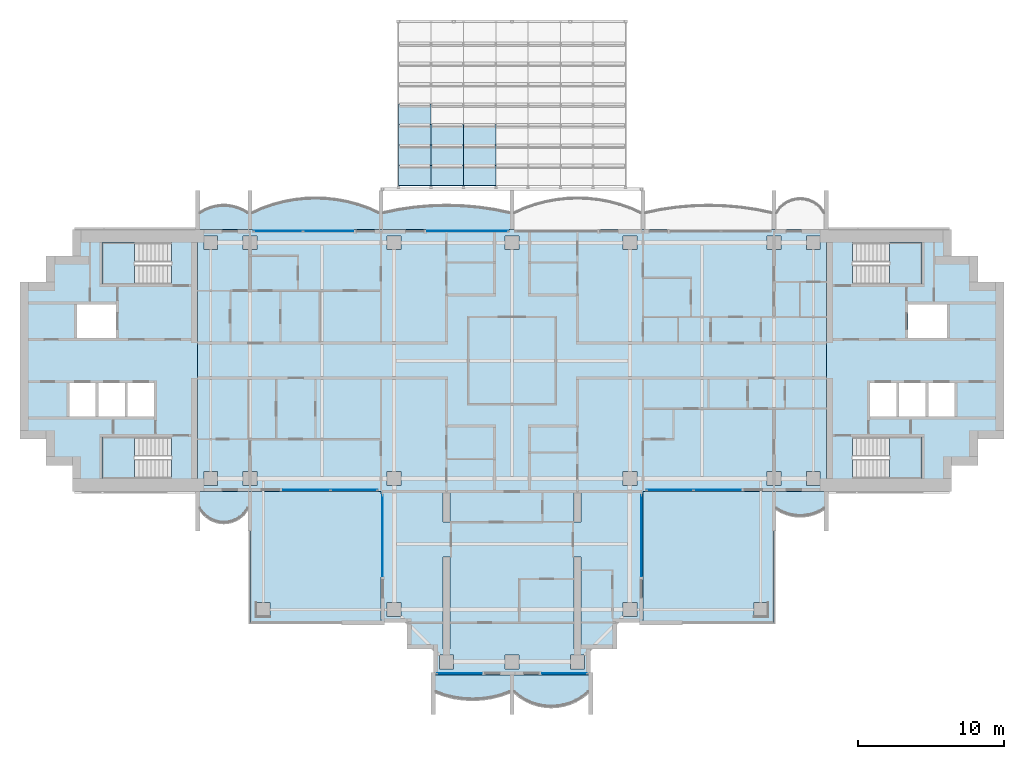
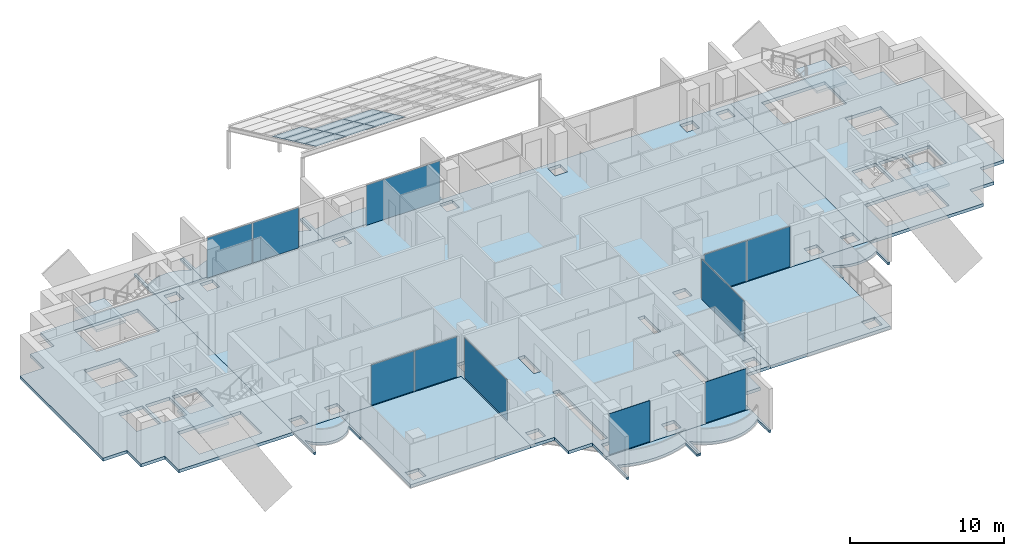
# One storey, part 8 of 20: 21 plates, 16 slabs, 12 elements without a shape of their own.
"""IFC4 building model written with IfcOpenShell, lengths in metres."""

from ifc_helpers import new_model, si_unit, direction, frame, origin, origin_2d, place, context, subcontext, project, spatial, polyline, rectangle, outline, extrude, material, layer, layer_set, type_object, element, aggregate, save


model = new_model("IFC4")

# Units and contexts
model_context = context("Model", 3, precision=1e-05, world=origin(), true_north=direction((0.0, 1.0)))
body_context = subcontext(model_context, "Body", "Model", "MODEL_VIEW")
ifc_project = project(units=[si_unit("LENGTHUNIT", "METRE"), si_unit("AREAUNIT", "SQUARE_METRE"), si_unit("VOLUMEUNIT", "CUBIC_METRE"), si_unit("PLANEANGLEUNIT", "RADIAN"), si_unit("MASSUNIT", "GRAM", prefix="KILO")], contexts=[model_context])

# Site, building, storey
site_placement = place(None, origin())
site = spatial("IfcSite", under=ifc_project, at=site_placement, CompositionType="ELEMENT")
building_placement = place(site_placement, origin())
building = spatial("IfcBuilding", under=site, at=building_placement, Name="Perihelion Cross Residences", CompositionType="ELEMENT")
storey_placement = place(building_placement, frame((0.0, 0.0, 170.10009765625)))
storey = spatial("IfcBuildingStorey", under=building, at=storey_placement, Name="L41", CompositionType="ELEMENT", Elevation=170.10009765625)

# Slabs
ifc_material_1 = material(Name="Concrete C40/50", Category="concrete")
ifc_layer_1 = layer(ifc_material_1, 0.199951171875)
ifc_layer_set_1 = layer_set([ifc_layer_1], Name="Balcony slab 200")
slab_type_1 = type_object("IfcSlabType", Name="Balcony slab 200", PredefinedType="FLOOR", material=ifc_layer_set_1)
slab_1_placement = place(storey_placement, frame((0.0, 0.0, -0.2001953125)))
element("IfcSlab", 1, at=slab_1_placement, inside=storey, type_object=slab_type_1, Name="Slab BK1 L41 north side east bay 2 balcony", PredefinedType="FLOOR", context=body_context, shape_type="SweptSolid", body=[
    extrude(outline(polyline([(0.0, 9.0), (-9.0, 9.0), (-9.0, 11.699951171875), (-8.85009765625, 11.699951171875), (-8.85009765625, 10.199951171875), (-7.762451171875, 10.42041015625), (-6.675048828125, 10.576171875), (-5.58740234375, 10.669189453125), (-4.5, 10.699951171875), (-3.41259765625, 10.669189453125), (-2.324951171875, 10.576171875), (-1.237548828125, 10.42041015625), (-0.14990234375, 10.199951171875), (-0.14990234375, 11.699951171875), (0.0, 11.699951171875), (0.0, 9.0)])), origin(), (0.0, 0.0, 1.0), 0.2001953125),
])
slab_2_placement = place(storey_placement, frame((0.0, 0.0, -0.2001953125)))
element("IfcSlab", 2, at=slab_2_placement, inside=storey, type_object=slab_type_1, Name="Slab BK1 L41 west side north bay 1 balcony", PredefinedType="FLOOR", context=body_context, shape_type="SweptSolid", body=[
    extrude(outline(polyline([(-9.0, 9.0), (-18.0, 9.0), (-18.0, 11.699951171875), (-17.85009765625, 11.699951171875), (-17.85009765625, 10.199951171875), (-17.125, 10.51708984375), (-16.39990234375, 10.7685546875), (-15.675048828125, 10.959716796875), (-14.949951171875, 11.093994140625), (-14.22509765625, 11.173583984375), (-13.5, 11.199951171875), (-12.77490234375, 11.173583984375), (-12.050048828125, 11.093994140625), (-11.324951171875, 10.959716796875), (-10.60009765625, 10.7685546875), (-9.875, 10.51708984375), (-9.14990234375, 10.199951171875), (-9.14990234375, 11.699951171875), (-9.0, 11.699951171875), (-9.0, 9.0)])), origin(), (0.0, 0.0, 1.0), 0.2001953125),
])
slab_3_placement = place(storey_placement, frame((0.0, 0.0, -0.2001953125)))
element("IfcSlab", 3, at=slab_3_placement, inside=storey, type_object=slab_type_1, Name="Slab BK1 L41 west side north bay 2 balcony", PredefinedType="FLOOR", context=body_context, shape_type="SweptSolid", body=[
    extrude(outline(polyline([(-18.0, 9.0), (-21.60009765625, 9.0), (-21.60009765625, 11.699951171875), (-21.449951171875, 11.699951171875), (-21.449951171875, 10.199951171875), (-21.083251953125, 10.40869140625), (-20.716552734375, 10.55517578125), (-20.35009765625, 10.648681640625), (-19.9833984375, 10.6943359375), (-19.61669921875, 10.6943359375), (-19.25, 10.648681640625), (-18.88330078125, 10.55517578125), (-18.5166015625, 10.40869140625), (-18.14990234375, 10.199951171875), (-18.14990234375, 11.699951171875), (-18.0, 11.699951171875), (-18.0, 9.0)])), origin(), (0.0, 0.0, 1.0), 0.2001953125),
])
slab_4_placement = place(storey_placement, frame((0.0, 0.0, -0.2001953125)))
element("IfcSlab", 4, at=slab_4_placement, inside=storey, type_object=slab_type_1, Name="Slab BK1 L41 west side south bay 1 balcony", PredefinedType="FLOOR", context=body_context, shape_type="SweptSolid", body=[
    extrude(outline(polyline([(-21.60009765625, -9.0), (-18.0, -9.0), (-18.0, -11.699951171875), (-18.14990234375, -11.699951171875), (-18.14990234375, -10.199951171875), (-18.425048828125, -10.568603515625), (-18.699951171875, -10.806396484375), (-18.97509765625, -10.96875), (-19.25, -11.07568359375), (-19.52490234375, -11.136962890625), (-19.800048828125, -11.156982421875), (-20.074951171875, -11.136962890625), (-20.35009765625, -11.07568359375), (-20.625, -10.96875), (-20.89990234375, -10.806396484375), (-21.175048828125, -10.568603515625), (-21.449951171875, -10.199951171875), (-21.449951171875, -11.699951171875), (-21.60009765625, -11.699951171875), (-21.60009765625, -9.0)])), origin(), (0.0, 0.0, 1.0), 0.2001953125),
])
slab_5_placement = place(storey_placement, frame((0.0, 0.0, -0.2001953125)))
element("IfcSlab", 5, at=slab_5_placement, inside=storey, type_object=slab_type_1, Name="Slab BK1 L41 south tip south bay 1 balcony", PredefinedType="FLOOR", context=body_context, shape_type="SweptSolid", body=[
    extrude(outline(polyline([(-5.39990234375, -21.60009765625), (0.0, -21.60009765625), (0.0, -24.300048828125), (-0.14990234375, -24.300048828125), (-0.14990234375, -22.800048828125), (-0.78759765625, -23.0234375), (-1.425048828125, -23.178466796875), (-2.0625, -23.269775390625), (-2.699951171875, -23.300048828125), (-3.33740234375, -23.269775390625), (-3.97509765625, -23.178466796875), (-4.612548828125, -23.0234375), (-5.25, -22.800048828125), (-5.25, -24.300048828125), (-5.39990234375, -24.300048828125), (-5.39990234375, -21.60009765625)])), origin(), (0.0, 0.0, 1.0), 0.2001953125),
])
slab_6_placement = place(storey_placement, frame((0.0, 0.0, -0.2001953125)))
element("IfcSlab", 6, at=slab_6_placement, inside=storey, type_object=slab_type_1, Name="Slab BK1 L41 south tip south bay 2 balcony", PredefinedType="FLOOR", context=body_context, shape_type="SweptSolid", body=[
    extrude(outline(polyline([(0.0, -21.60009765625), (5.39990234375, -21.60009765625), (5.39990234375, -24.300048828125), (5.25, -24.300048828125), (5.25, -22.800048828125), (4.824951171875, -23.14013671875), (4.39990234375, -23.392578125), (3.97509765625, -23.57666015625), (3.550048828125, -23.702392578125), (3.125, -23.77587890625), (2.699951171875, -23.800048828125), (2.27490234375, -23.77587890625), (1.85009765625, -23.702392578125), (1.425048828125, -23.57666015625), (1.0, -23.392578125), (0.574951171875, -23.14013671875), (0.14990234375, -22.800048828125), (0.14990234375, -24.300048828125), (0.0, -24.300048828125), (0.0, -21.60009765625)])), origin(), (0.0, 0.0, 1.0), 0.2001953125),
])
slab_7_placement = place(storey_placement, frame((0.0, 0.0, -0.2001953125)))
element("IfcSlab", 7, at=slab_7_placement, inside=storey, type_object=slab_type_1, Name="Slab BK1 L41 east side south bay 2 balcony", PredefinedType="FLOOR", context=body_context, shape_type="SweptSolid", body=[
    extrude(outline(polyline([(18.0, -9.0), (21.60009765625, -9.0), (21.60009765625, -11.699951171875), (21.449951171875, -11.699951171875), (21.449951171875, -10.199951171875), (21.083251953125, -10.40869140625), (20.716552734375, -10.55517578125), (20.35009765625, -10.648681640625), (19.9833984375, -10.6943359375), (19.61669921875, -10.6943359375), (19.25, -10.648681640625), (18.88330078125, -10.55517578125), (18.5166015625, -10.40869140625), (18.14990234375, -10.199951171875), (18.14990234375, -11.699951171875), (18.0, -11.699951171875), (18.0, -9.0)])), origin(), (0.0, 0.0, 1.0), 0.2001953125),
])

# Curtain wall, plate
ifc_material_2 = material(Name="Bronze anodised aluminium, tinted glazing", Category="aluminium")
curtain_wall_type = type_object("IfcCurtainWallType", Name="CW1", PredefinedType="NOTDEFINED", material=ifc_material_2)
curtain_wall_1_placement = place(storey_placement, origin())
curtain_wall_1 = element("IfcCurtainWall", 8, at=curtain_wall_1_placement, inside=storey, type_object=curtain_wall_type, Name="Curtain wall CW1 L41 north side east bay 2", PredefinedType="NOTDEFINED")
ifc_material_3 = material(Name="Tinted laminated glass", Category="glass")
ifc_layer_2 = layer(ifc_material_3, 0.028076171875)
ifc_layer_set_2 = layer_set([ifc_layer_2], Name="CW1 panel")
plate_type_1 = type_object("IfcPlateType", Name="CW1 panel", PredefinedType="CURTAIN_PANEL", material=ifc_layer_set_2)
plate_1_placement = place(storey_placement, frame((-3.04248046875, 8.89990234375, 0.0), z_axis=(0.0, 0.0, 1.0), x_axis=(-1.0, 0.0, 0.0)))
plate_1 = element("IfcPlate", 9, at=plate_1_placement, type_object=plate_type_1, Name="CW1 panel 1", PredefinedType="CURTAIN_PANEL", context=body_context, shape_type="SweptSolid", body=[
    extrude(rectangle(XDim=5.56494140625, YDim=0.028076171875, at=origin_2d()), origin(), (0.0, 0.0, 1.0), 3.18994140625),
])
aggregate(curtain_wall_1, [plate_1])

# Curtain wall, plates
curtain_wall_2_placement = place(storey_placement, origin())
curtain_wall_2 = element("IfcCurtainWall", 10, at=curtain_wall_2_placement, inside=storey, type_object=curtain_wall_type, Name="Curtain wall CW1 L41 west side north bay 1", PredefinedType="NOTDEFINED")
plate_2_placement = place(storey_placement, frame((-12.610107421875, 8.89990234375, 0.0), z_axis=(0.0, 0.0, 1.0), x_axis=(-1.0, 0.0, 0.0)))
plate_2 = element("IfcPlate", 11, at=plate_2_placement, type_object=plate_type_1, Name="CW1 panel 1", PredefinedType="CURTAIN_PANEL", context=body_context, shape_type="SweptSolid", body=[
    extrude(rectangle(XDim=3.419921875, YDim=0.028076171875, at=origin_2d()), origin(), (0.0, 0.0, 1.0), 3.18994140625),
])
plate_3_placement = place(storey_placement, frame((-16.06005859375, 8.89990234375, 0.0), z_axis=(0.0, 0.0, 1.0), x_axis=(-1.0, 0.0, 0.0)))
plate_3 = element("IfcPlate", 12, at=plate_3_placement, type_object=plate_type_1, Name="CW1 panel 2", PredefinedType="CURTAIN_PANEL", context=body_context, shape_type="SweptSolid", body=[
    extrude(rectangle(XDim=3.360107421875, YDim=0.028076171875, at=origin_2d()), origin(), (0.0, 0.0, 1.0), 3.18994140625),
])
aggregate(curtain_wall_2, [plate_2, plate_3])

curtain_wall_3_placement = place(storey_placement, origin())
curtain_wall_3 = element("IfcCurtainWall", 13, at=curtain_wall_3_placement, inside=storey, type_object=curtain_wall_type, Name="Curtain wall CW1 L41 west side south bay 2", PredefinedType="NOTDEFINED")
plate_4_placement = place(storey_placement, frame((-14.108642578125, -8.89990234375, 0.0), z_axis=(0.0, 0.0, 1.0), x_axis=(1.0, 0.0, 0.0)))
plate_4 = element("IfcPlate", 14, at=plate_4_placement, type_object=plate_type_1, Name="CW1 panel 1", PredefinedType="CURTAIN_PANEL", context=body_context, shape_type="SweptSolid", body=[
    extrude(rectangle(XDim=3.232421875, YDim=0.028076171875, at=origin_2d()), origin(), (0.0, 0.0, 1.0), 3.18994140625),
])
plate_5_placement = place(storey_placement, frame((-10.84619140625, -8.89990234375, 0.0), z_axis=(0.0, 0.0, 1.0), x_axis=(1.0, 0.0, 0.0)))
plate_5 = element("IfcPlate", 15, at=plate_5_placement, type_object=plate_type_1, Name="CW1 panel 2", PredefinedType="CURTAIN_PANEL", context=body_context, shape_type="SweptSolid", body=[
    extrude(rectangle(XDim=3.172607421875, YDim=0.028076171875, at=origin_2d()), origin(), (0.0, 0.0, 1.0), 3.18994140625),
])
aggregate(curtain_wall_3, [plate_4, plate_5])

# Curtain wall, plate
curtain_wall_4_placement = place(storey_placement, origin())
curtain_wall_4 = element("IfcCurtainWall", 16, at=curtain_wall_4_placement, inside=storey, type_object=curtain_wall_type, Name="Curtain wall CW1 L41 south side west bay 1", PredefinedType="NOTDEFINED")
plate_6_placement = place(storey_placement, frame((-8.89990234375, -12.04248046875, 0.0), z_axis=(0.0, 0.0, 1.0), x_axis=(0.0, -1.0, 0.0)))
plate_6 = element("IfcPlate", 17, at=plate_6_placement, type_object=plate_type_1, Name="CW1 panel 1", PredefinedType="CURTAIN_PANEL", context=body_context, shape_type="SweptSolid", body=[
    extrude(rectangle(XDim=5.56494140625, YDim=0.028076171875, at=origin_2d()), origin(), (0.0, 0.0, 1.0), 3.18994140625),
])
aggregate(curtain_wall_4, [plate_6])

curtain_wall_5_placement = place(storey_placement, origin())
curtain_wall_5 = element("IfcCurtainWall", 18, at=curtain_wall_5_placement, inside=storey, type_object=curtain_wall_type, Name="Curtain wall CW1 L41 south tip south bay 1", PredefinedType="NOTDEFINED")
plate_7_placement = place(storey_placement, frame((-3.607421875, -21.5, 0.0), z_axis=(0.0, 0.0, 1.0), x_axis=(1.0, 0.0, 0.0)))
plate_7 = element("IfcPlate", 19, at=plate_7_placement, type_object=plate_type_1, Name="CW1 panel 1", PredefinedType="CURTAIN_PANEL", context=body_context, shape_type="SweptSolid", body=[
    extrude(rectangle(XDim=3.06494140625, YDim=0.028076171875, at=origin_2d()), origin(), (0.0, 0.0, 1.0), 3.25),
])
aggregate(curtain_wall_5, [plate_7])

curtain_wall_6_placement = place(storey_placement, origin())
curtain_wall_6 = element("IfcCurtainWall", 20, at=curtain_wall_6_placement, inside=storey, type_object=curtain_wall_type, Name="Curtain wall CW1 L41 south tip south bay 2", PredefinedType="NOTDEFINED")
plate_8_placement = place(storey_placement, frame((3.607421875, -21.5, 0.0), z_axis=(0.0, 0.0, 1.0), x_axis=(1.0, 0.0, 0.0)))
plate_8 = element("IfcPlate", 21, at=plate_8_placement, type_object=plate_type_1, Name="CW1 panel 1", PredefinedType="CURTAIN_PANEL", context=body_context, shape_type="SweptSolid", body=[
    extrude(rectangle(XDim=3.06494140625, YDim=0.028076171875, at=origin_2d()), origin(), (0.0, 0.0, 1.0), 3.25),
])
aggregate(curtain_wall_6, [plate_8])

curtain_wall_7_placement = place(storey_placement, origin())
curtain_wall_7 = element("IfcCurtainWall", 22, at=curtain_wall_7_placement, inside=storey, type_object=curtain_wall_type, Name="Curtain wall CW1 L41 south side east bay 1", PredefinedType="NOTDEFINED")
plate_9_placement = place(storey_placement, frame((8.89990234375, -12.04248046875, 0.0), z_axis=(0.0, 0.0, 1.0), x_axis=(0.0, 1.0, 0.0)))
plate_9 = element("IfcPlate", 23, at=plate_9_placement, type_object=plate_type_1, Name="CW1 panel 1", PredefinedType="CURTAIN_PANEL", context=body_context, shape_type="SweptSolid", body=[
    extrude(rectangle(XDim=5.56494140625, YDim=0.028076171875, at=origin_2d()), origin(), (0.0, 0.0, 1.0), 3.18994140625),
])
aggregate(curtain_wall_7, [plate_9])

# Curtain wall, plates
curtain_wall_8_placement = place(storey_placement, origin())
curtain_wall_8 = element("IfcCurtainWall", 24, at=curtain_wall_8_placement, inside=storey, type_object=curtain_wall_type, Name="Curtain wall CW1 L41 east side south bay 1", PredefinedType="NOTDEFINED")
plate_10_placement = place(storey_placement, frame((10.84619140625, -8.89990234375, 0.0), z_axis=(0.0, 0.0, 1.0), x_axis=(1.0, 0.0, 0.0)))
plate_10 = element("IfcPlate", 25, at=plate_10_placement, type_object=plate_type_1, Name="CW1 panel 1", PredefinedType="CURTAIN_PANEL", context=body_context, shape_type="SweptSolid", body=[
    extrude(rectangle(XDim=3.172607421875, YDim=0.028076171875, at=origin_2d()), origin(), (0.0, 0.0, 1.0), 3.18994140625),
])
plate_11_placement = place(storey_placement, frame((14.108642578125, -8.89990234375, 0.0), z_axis=(0.0, 0.0, 1.0), x_axis=(1.0, 0.0, 0.0)))
plate_11 = element("IfcPlate", 26, at=plate_11_placement, type_object=plate_type_1, Name="CW1 panel 2", PredefinedType="CURTAIN_PANEL", context=body_context, shape_type="SweptSolid", body=[
    extrude(rectangle(XDim=3.232421875, YDim=0.028076171875, at=origin_2d()), origin(), (0.0, 0.0, 1.0), 3.18994140625),
])
aggregate(curtain_wall_8, [plate_10, plate_11])

# Plates
ifc_material_4 = material(Name="Tinted laminated glass", Category="glass")
ifc_layer_3 = layer(ifc_material_4, 0.033935546875)
ifc_layer_set_3 = layer_set([ifc_layer_3], Name="Canopy glass panel")
plate_type_2 = type_object("IfcPlateType", Name="Canopy glass panel", PredefinedType="SHEET", material=ifc_layer_set_3)
plate_12_placement = place(storey_placement, frame((-7.800048828125, 17.622802734375, 2.480224609375), z_axis=(0.0, 0.422530897865, 0.906348520355), x_axis=(1.0, 0.0, 0.0)))
element("IfcPlate", 27, at=plate_12_placement, inside=storey, type_object=plate_type_2, Name="Canopy SC6 L41 panel 5 1", PredefinedType="SHEET", context=body_context, shape_type="SweptSolid", body=[
    extrude(outline(polyline([(0.0, 0.0), (2.228515625, 0.0), (2.228515625, -1.5456293851525664), (0.0, -1.5456293851525664), (0.0, 0.0)])), origin(), (0.0, 0.0, -1.0), 0.033935546875),
])
plate_13_placement = place(storey_placement, frame((-7.800048828125, 16.221923828125, 3.13330078125), z_axis=(0.0, 0.422591396254, 0.906320314134), x_axis=(1.0, 0.0, 0.0)))
element("IfcPlate", 28, at=plate_13_placement, inside=storey, type_object=plate_type_2, Name="Canopy SC6 L41 panel 6 1", PredefinedType="SHEET", context=body_context, shape_type="SweptSolid", body=[
    extrude(outline(polyline([(0.0, 0.0), (2.228515625, 0.0), (2.228515625, -1.545408112101235), (0.0, -1.545408112101235), (0.0, 0.0)])), origin(), (0.0, 0.0, -1.0), 0.033935546875),
])
plate_14_placement = place(storey_placement, frame((-5.571533203125, 16.221923828125, 3.13330078125), z_axis=(0.0, 0.422591396254, 0.906320314134), x_axis=(1.0, 0.0, 0.0)))
element("IfcPlate", 29, at=plate_14_placement, inside=storey, type_object=plate_type_2, Name="Canopy SC6 L41 panel 6 2", PredefinedType="SHEET", context=body_context, shape_type="SweptSolid", body=[
    extrude(outline(polyline([(0.0, 0.0), (2.228759765625, 0.0), (2.228759765625, -1.5454081121012349), (0.0, -1.545408112101235), (0.0, 0.0)])), origin(), (0.0, 0.0, -1.0), 0.033935546875),
])
plate_15_placement = place(storey_placement, frame((-3.3427734375, 16.221923828125, 3.13330078125), z_axis=(0.0, 0.422591396254, 0.906320314134), x_axis=(1.0, 0.0, 0.0)))
element("IfcPlate", 30, at=plate_15_placement, inside=storey, type_object=plate_type_2, Name="Canopy SC6 L41 panel 6 3", PredefinedType="SHEET", context=body_context, shape_type="SweptSolid", body=[
    extrude(outline(polyline([(0.0, 0.0), (2.228515625, 0.0), (2.228515625, -1.545408112101235), (0.0, -1.545408112101235), (0.0, 0.0)])), origin(), (0.0, 0.0, -1.0), 0.033935546875),
])
plate_16_placement = place(storey_placement, frame((-7.800048828125, 14.8212890625, 3.786376953125), z_axis=(0.0, 0.422721149072, 0.906259802776), x_axis=(1.0, 0.0, 0.0)))
element("IfcPlate", 31, at=plate_16_placement, inside=storey, type_object=plate_type_2, Name="Canopy SC6 L41 panel 7 1", PredefinedType="SHEET", context=body_context, shape_type="SweptSolid", body=[
    extrude(outline(polyline([(0.0, 0.0), (2.228515625, 0.0), (2.228515625, -1.5455112996683318), (0.0, -1.5455112996683318), (0.0, 0.0)])), origin(), (0.0, 0.0, -1.0), 0.033935546875),
])
plate_17_placement = place(storey_placement, frame((-5.571533203125, 14.8212890625, 3.786376953125), z_axis=(0.0, 0.422721149072, 0.906259802776), x_axis=(1.0, 0.0, 0.0)))
element("IfcPlate", 32, at=plate_17_placement, inside=storey, type_object=plate_type_2, Name="Canopy SC6 L41 panel 7 2", PredefinedType="SHEET", context=body_context, shape_type="SweptSolid", body=[
    extrude(outline(polyline([(0.0, 0.0), (2.228759765625, 0.0), (2.228759765625, -1.545511299668332), (0.0, -1.5455112996683318), (0.0, 0.0)])), origin(), (0.0, 0.0, -1.0), 0.033935546875),
])
plate_18_placement = place(storey_placement, frame((-3.3427734375, 14.8212890625, 3.786376953125), z_axis=(0.0, 0.422721149072, 0.906259802776), x_axis=(1.0, 0.0, 0.0)))
element("IfcPlate", 33, at=plate_18_placement, inside=storey, type_object=plate_type_2, Name="Canopy SC6 L41 panel 7 3", PredefinedType="SHEET", context=body_context, shape_type="SweptSolid", body=[
    extrude(outline(polyline([(0.0, 0.0), (2.228515625, 0.0), (2.228515625, -1.5455112996683318), (0.0, -1.5455112996683318), (0.0, 0.0)])), origin(), (0.0, 0.0, -1.0), 0.033935546875),
])
plate_19_placement = place(storey_placement, frame((-7.800048828125, 13.420654296875, 4.439697265625), z_axis=(0.0, 0.422591396254, 0.906320314134), x_axis=(1.0, 0.0, 0.0)))
element("IfcPlate", 34, at=plate_19_placement, inside=storey, type_object=plate_type_2, Name="Canopy SC6 L41 panel 8 1", PredefinedType="SHEET", context=body_context, shape_type="SweptSolid", body=[
    extrude(outline(polyline([(0.0, 0.0), (2.228515625, 0.0), (2.228515625, -1.545408112101235), (0.0, -1.545408112101235), (0.0, 0.0)])), origin(), (0.0, 0.0, -1.0), 0.033935546875),
])
plate_20_placement = place(storey_placement, frame((-5.571533203125, 13.420654296875, 4.439697265625), z_axis=(0.0, 0.422591396254, 0.906320314134), x_axis=(1.0, 0.0, 0.0)))
element("IfcPlate", 35, at=plate_20_placement, inside=storey, type_object=plate_type_2, Name="Canopy SC6 L41 panel 8 2", PredefinedType="SHEET", context=body_context, shape_type="SweptSolid", body=[
    extrude(outline(polyline([(0.0, 0.0), (2.228759765625, 0.0), (2.228759765625, -1.5454081121012349), (0.0, -1.545408112101235), (0.0, 0.0)])), origin(), (0.0, 0.0, -1.0), 0.033935546875),
])
plate_21_placement = place(storey_placement, frame((-3.3427734375, 13.420654296875, 4.439697265625), z_axis=(0.0, 0.422591396254, 0.906320314134), x_axis=(1.0, 0.0, 0.0)))
element("IfcPlate", 36, at=plate_21_placement, inside=storey, type_object=plate_type_2, Name="Canopy SC6 L41 panel 8 3", PredefinedType="SHEET", context=body_context, shape_type="SweptSolid", body=[
    extrude(outline(polyline([(0.0, 0.0), (2.228515625, 0.0), (2.228515625, -1.545408112101235), (0.0, -1.545408112101235), (0.0, 0.0)])), origin(), (0.0, 0.0, -1.0), 0.033935546875),
])

# Slabs
ifc_material_5 = material(Name="Concrete C40/50", Category="concrete")
ifc_layer_4 = layer(ifc_material_5, 0.25)
ifc_layer_set_4 = layer_set([ifc_layer_4], Name="Core floor slab 250")
slab_type_2 = type_object("IfcSlabType", Name="Core floor slab 250", PredefinedType="FLOOR", material=ifc_layer_set_4)
slab_8_placement = place(storey_placement, frame((0.0, 0.0, -0.25)))
element("IfcSlab", 37, at=slab_8_placement, inside=storey, type_object=slab_type_2, Name="East core floor slab", PredefinedType="FLOOR", context=body_context, shape_type="SweptSolid", body=[
    extrude(outline(polyline([(30.199951171875, 7.199951171875), (32.0, 7.199951171875), (32.0, 5.39990234375), (33.800048828125, 5.39990234375), (33.800048828125, -5.39990234375), (32.0, -5.39990234375), (32.0, -7.199951171875), (30.199951171875, -7.199951171875), (30.199951171875, -9.0), (21.60009765625, -9.0), (21.60009765625, 9.0), (30.199951171875, 9.0), (30.199951171875, 7.199951171875)]), holes=[polyline([(28.14990234375, -8.10009765625), (28.14990234375, -5.25), (23.405029296875, -5.25), (23.405029296875, -8.10009765625), (28.14990234375, -8.10009765625)]), polyline([(24.60009765625, -1.550048828125), (24.60009765625, -3.85009765625), (26.39990234375, -3.85009765625), (26.39990234375, -1.550048828125), (24.60009765625, -1.550048828125)]), polyline([(26.60009765625, -1.550048828125), (26.60009765625, -3.85009765625), (28.39990234375, -3.85009765625), (28.39990234375, -1.550048828125), (26.60009765625, -1.550048828125)]), polyline([(28.60009765625, -3.85009765625), (30.39990234375, -3.85009765625), (30.39990234375, -1.550048828125), (28.60009765625, -1.550048828125), (28.60009765625, -3.85009765625)]), polyline([(27.199951171875, 3.85009765625), (27.199951171875, 1.550048828125), (29.89990234375, 1.550048828125), (29.89990234375, 3.85009765625), (27.199951171875, 3.85009765625)]), polyline([(23.405029296875, 5.25), (28.14990234375, 5.25), (28.14990234375, 8.10009765625), (23.405029296875, 8.10009765625), (23.405029296875, 5.25)])]), origin(), (0.0, 0.0, 1.0), 0.25),
])
slab_9_placement = place(storey_placement, frame((0.0, 0.0, -0.25)))
element("IfcSlab", 38, at=slab_9_placement, inside=storey, type_object=slab_type_2, Name="West core floor slab", PredefinedType="FLOOR", context=body_context, shape_type="SweptSolid", body=[
    extrude(outline(polyline([(-30.199951171875, 7.199951171875), (-32.0, 7.199951171875), (-32.0, 5.39990234375), (-33.800048828125, 5.39990234375), (-33.800048828125, -5.39990234375), (-32.0, -5.39990234375), (-32.0, -7.199951171875), (-30.199951171875, -7.199951171875), (-30.199951171875, -9.0), (-21.60009765625, -9.0), (-21.60009765625, 9.0), (-30.199951171875, 9.0), (-30.199951171875, 7.199951171875)]), holes=[polyline([(-28.14990234375, -8.10009765625), (-28.14990234375, -5.25), (-23.405029296875, -5.25), (-23.405029296875, -8.10009765625), (-28.14990234375, -8.10009765625)]), polyline([(-24.60009765625, -1.550048828125), (-24.60009765625, -3.85009765625), (-26.39990234375, -3.85009765625), (-26.39990234375, -1.550048828125), (-24.60009765625, -1.550048828125)]), polyline([(-26.60009765625, -1.550048828125), (-26.60009765625, -3.85009765625), (-28.39990234375, -3.85009765625), (-28.39990234375, -1.550048828125), (-26.60009765625, -1.550048828125)]), polyline([(-28.60009765625, -3.85009765625), (-30.39990234375, -3.85009765625), (-30.39990234375, -1.550048828125), (-28.60009765625, -1.550048828125), (-28.60009765625, -3.85009765625)]), polyline([(-27.199951171875, 3.85009765625), (-27.199951171875, 1.550048828125), (-29.89990234375, 1.550048828125), (-29.89990234375, 3.85009765625), (-27.199951171875, 3.85009765625)]), polyline([(-23.405029296875, 5.25), (-28.14990234375, 5.25), (-28.14990234375, 8.10009765625), (-23.405029296875, 8.10009765625), (-23.405029296875, 5.25)])]), origin(), (0.0, 0.0, 1.0), 0.25),
])
ifc_material_6 = material(Name="Concrete C40/50", Category="concrete")
ifc_layer_5 = layer(ifc_material_6, 0.25)
ifc_layer_set_5 = layer_set([ifc_layer_5], Name="Corner terrace slab")
slab_type_3 = type_object("IfcSlabType", Name="Corner terrace slab", PredefinedType="FLOOR", material=ifc_layer_set_5)
slab_10_placement = place(storey_placement, frame((0.0, 0.0, -0.25)))
element("IfcSlab", 39, at=slab_10_placement, inside=storey, type_object=slab_type_3, Name="Slab BK2 L41 pocket south-west", PredefinedType="FLOOR", context=body_context, shape_type="SweptSolid", body=[
    extrude(outline(polyline([(-9.0, -18.0), (-9.0, -9.0), (-18.0, -9.0), (-18.0, -18.0), (-9.0, -18.0)]), holes=[polyline([(-16.625, -17.614990234375), (-17.614990234375, -17.614990234375), (-17.614990234375, -16.5849609375), (-17.574951171875, -16.5849609375), (-17.574951171875, -16.625), (-16.625, -16.625), (-16.625, -17.614990234375)])]), origin(), (0.0, 0.0, 1.0), 0.25),
])
slab_11_placement = place(storey_placement, frame((0.0, 0.0, -0.25)))
element("IfcSlab", 40, at=slab_11_placement, inside=storey, type_object=slab_type_3, Name="Slab BK2 L41 pocket south-east", PredefinedType="FLOOR", context=body_context, shape_type="SweptSolid", body=[
    extrude(outline(polyline([(18.0, -18.0), (18.0, -9.0), (9.0, -9.0), (9.0, -18.0), (18.0, -18.0)]), holes=[polyline([(16.625, -17.614990234375), (16.625, -16.625), (17.574951171875, -16.625), (17.574951171875, -16.5849609375), (17.614990234375, -16.5849609375), (17.614990234375, -17.614990234375), (16.625, -17.614990234375)])]), origin(), (0.0, 0.0, 1.0), 0.25),
])

# Stair, slab
ifc_material_7 = material(Name="Concrete C40/50", Category="concrete")
stair_type = type_object("IfcStairType", Name="Exit stair, half-turn", PredefinedType="HALF_TURN_STAIR", material=ifc_material_7)
stair_1_placement = place(storey_placement, origin())
stair_1 = element("IfcStair", 41, at=stair_1_placement, inside=storey, type_object=stair_type, Name="L41 East core exit stair 1", PredefinedType="HALF_TURN_STAIR")
ifc_material_8 = material(Name="Concrete C40/50", Category="concrete")
ifc_layer_6 = layer(ifc_material_8, 0.199951171875)
ifc_layer_set_6 = layer_set([ifc_layer_6], Name="Exit stair landing 200")
slab_type_4 = type_object("IfcSlabType", Name="Exit stair landing 200", PredefinedType="LANDING", material=ifc_layer_set_6)
slab_12_placement = place(storey_placement, frame((0.0, 0.0, 1.5498046875)))
slab_12 = element("IfcSlab", 42, at=slab_12_placement, type_object=slab_type_4, Name="ST-E1 landing 1", PredefinedType="LANDING", context=body_context, shape_type="SweptSolid", body=[
    extrude(outline(polyline([(25.919921875, 5.25), (28.14990234375, 5.25), (28.14990234375, 8.10009765625), (25.919921875, 8.10009765625), (25.919921875, 5.25)])), origin(), (0.0, 0.0, 1.0), 0.2001953125),
])
aggregate(stair_1, [slab_12])

stair_2_placement = place(storey_placement, origin())
stair_2 = element("IfcStair", 43, at=stair_2_placement, inside=storey, type_object=stair_type, Name="L41 East core exit stair 2", PredefinedType="HALF_TURN_STAIR")
slab_13_placement = place(storey_placement, frame((0.0, 0.0, 1.5498046875)))
slab_13 = element("IfcSlab", 44, at=slab_13_placement, type_object=slab_type_4, Name="ST-E2 landing 1", PredefinedType="LANDING", context=body_context, shape_type="SweptSolid", body=[
    extrude(outline(polyline([(25.919921875, -8.10009765625), (28.14990234375, -8.10009765625), (28.14990234375, -5.25), (25.919921875, -5.25), (25.919921875, -8.10009765625)])), origin(), (0.0, 0.0, 1.0), 0.2001953125),
])
aggregate(stair_2, [slab_13])

stair_3_placement = place(storey_placement, origin())
stair_3 = element("IfcStair", 45, at=stair_3_placement, inside=storey, type_object=stair_type, Name="L41 West core exit stair 1", PredefinedType="HALF_TURN_STAIR")
slab_14_placement = place(storey_placement, frame((0.0, 0.0, 1.5498046875)))
slab_14 = element("IfcSlab", 46, at=slab_14_placement, type_object=slab_type_4, Name="ST-W1 landing 1", PredefinedType="LANDING", context=body_context, shape_type="SweptSolid", body=[
    extrude(outline(polyline([(-25.919921875, 8.10009765625), (-28.14990234375, 8.10009765625), (-28.14990234375, 5.25), (-25.919921875, 5.25), (-25.919921875, 8.10009765625)])), origin(), (0.0, 0.0, 1.0), 0.2001953125),
])
aggregate(stair_3, [slab_14])

stair_4_placement = place(storey_placement, origin())
stair_4 = element("IfcStair", 47, at=stair_4_placement, inside=storey, type_object=stair_type, Name="L41 West core exit stair 2", PredefinedType="HALF_TURN_STAIR")
slab_15_placement = place(storey_placement, frame((0.0, 0.0, 1.5498046875)))
slab_15 = element("IfcSlab", 48, at=slab_15_placement, type_object=slab_type_4, Name="ST-W2 landing 1", PredefinedType="LANDING", context=body_context, shape_type="SweptSolid", body=[
    extrude(outline(polyline([(-25.919921875, -5.25), (-28.14990234375, -5.25), (-28.14990234375, -8.10009765625), (-25.919921875, -8.10009765625), (-25.919921875, -5.25)])), origin(), (0.0, 0.0, 1.0), 0.2001953125),
])
aggregate(stair_4, [slab_15])

# Slab
ifc_material_9 = material(Name="Concrete C50/60", Category="concrete")
ifc_layer_7 = layer(ifc_material_9, 0.25)
ifc_layer_set_7 = layer_set([ifc_layer_7], Name="Residential floor post-tensioned slab concrete C50/60")
slab_type_5 = type_object("IfcSlabType", Name="Residential floor post-tensioned slab concrete C50/60", PredefinedType="FLOOR", material=ifc_layer_set_7)
slab_16_placement = place(storey_placement, frame((0.0, 0.0, -0.25)))
element("IfcSlab", 49, at=slab_16_placement, inside=storey, type_object=slab_type_5, Name="Slab SL8 L41 1 no. 1", PredefinedType="FLOOR", context=body_context, shape_type="SweptSolid", body=[
    extrude(outline(polyline([(-9.0, 9.0), (9.0, 9.0), (21.60009765625, 9.0), (21.60009765625, -9.0), (9.0, -9.0), (9.0, -18.0), (7.199951171875, -18.0), (7.199951171875, -19.800048828125), (5.39990234375, -19.800048828125), (5.39990234375, -21.60009765625), (-5.39990234375, -21.60009765625), (-5.39990234375, -19.800048828125), (-7.199951171875, -19.800048828125), (-7.199951171875, -18.0), (-9.0, -18.0), (-9.0, -9.0), (-21.60009765625, -9.0), (-21.60009765625, 9.0), (-9.0, 9.0)]), holes=[polyline([(-4.02490234375, -20.22509765625), (-4.97509765625, -20.22509765625), (-4.97509765625, -21.175048828125), (-4.02490234375, -21.175048828125), (-4.02490234375, -20.22509765625)]), polyline([(0.47509765625, -21.175048828125), (0.47509765625, -20.22509765625), (-0.47509765625, -20.22509765625), (-0.47509765625, -21.175048828125), (0.47509765625, -21.175048828125)]), polyline([(-7.625, -17.574951171875), (-7.625, -16.625), (-8.574951171875, -16.625), (-8.574951171875, -17.574951171875), (-7.625, -17.574951171875)]), polyline([(-4.25, -13.5), (-4.75, -13.5), (-4.75, -19.800048828125), (-4.25, -19.800048828125), (-4.25, -13.5)]), polyline([(-4.25, -11.10009765625), (-4.25, -9.0), (-4.75, -9.0), (-4.75, -11.10009765625), (-4.25, -11.10009765625)]), polyline([(-20.22509765625, -8.574951171875), (-20.22509765625, -7.625), (-21.175048828125, -7.625), (-21.175048828125, -8.574951171875), (-20.22509765625, -8.574951171875)]), polyline([(-17.52490234375, -7.625), (-18.47509765625, -7.625), (-18.47509765625, -8.574951171875), (-17.52490234375, -8.574951171875), (-17.52490234375, -7.625)]), polyline([(-7.625, -8.574951171875), (-7.625, -7.625), (-8.574951171875, -7.625), (-8.574951171875, -8.574951171875), (-7.625, -8.574951171875)]), polyline([(-20.22509765625, 8.574951171875), (-21.175048828125, 8.574951171875), (-21.175048828125, 7.625), (-20.22509765625, 7.625), (-20.22509765625, 8.574951171875)]), polyline([(-17.52490234375, 7.625), (-17.52490234375, 8.574951171875), (-18.47509765625, 8.574951171875), (-18.47509765625, 7.625), (-17.52490234375, 7.625)]), polyline([(-7.625, 7.625), (-7.625, 8.574951171875), (-8.574951171875, 8.574951171875), (-8.574951171875, 7.625), (-7.625, 7.625)]), polyline([(4.97509765625, -20.22509765625), (4.02490234375, -20.22509765625), (4.02490234375, -21.175048828125), (4.97509765625, -21.175048828125), (4.97509765625, -20.22509765625)]), polyline([(8.574951171875, -17.574951171875), (8.574951171875, -16.625), (7.625, -16.625), (7.625, -17.574951171875), (8.574951171875, -17.574951171875)]), polyline([(4.75, -19.800048828125), (4.75, -13.5), (4.25, -13.5), (4.25, -19.800048828125), (4.75, -19.800048828125)]), polyline([(4.75, -9.0), (4.25, -9.0), (4.25, -11.10009765625), (4.75, -11.10009765625), (4.75, -9.0)]), polyline([(8.574951171875, -8.574951171875), (8.574951171875, -7.625), (7.625, -7.625), (7.625, -8.574951171875), (8.574951171875, -8.574951171875)]), polyline([(18.47509765625, -8.574951171875), (18.47509765625, -7.625), (17.52490234375, -7.625), (17.52490234375, -8.574951171875), (18.47509765625, -8.574951171875)]), polyline([(21.175048828125, -7.625), (20.22509765625, -7.625), (20.22509765625, -8.574951171875), (21.175048828125, -8.574951171875), (21.175048828125, -7.625)]), polyline([(0.47509765625, 7.625), (0.47509765625, 8.574951171875), (-0.47509765625, 8.574951171875), (-0.47509765625, 7.625), (0.47509765625, 7.625)]), polyline([(8.574951171875, 8.574951171875), (7.625, 8.574951171875), (7.625, 7.625), (8.574951171875, 7.625), (8.574951171875, 8.574951171875)]), polyline([(18.47509765625, 7.625), (18.47509765625, 8.574951171875), (17.52490234375, 8.574951171875), (17.52490234375, 7.625), (18.47509765625, 7.625)]), polyline([(21.175048828125, 7.625), (21.175048828125, 8.574951171875), (20.22509765625, 8.574951171875), (20.22509765625, 7.625), (21.175048828125, 7.625)])]), origin(), (0.0, 0.0, 1.0), 0.25),
])

save(model, "model.ifc")
